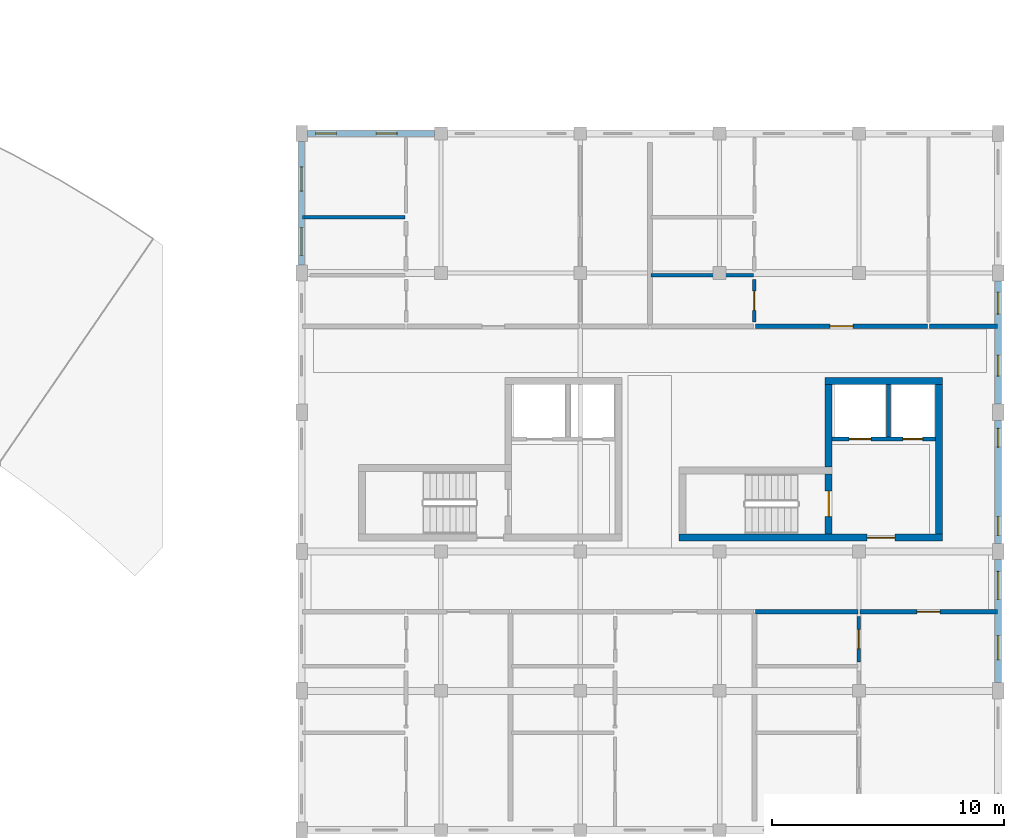
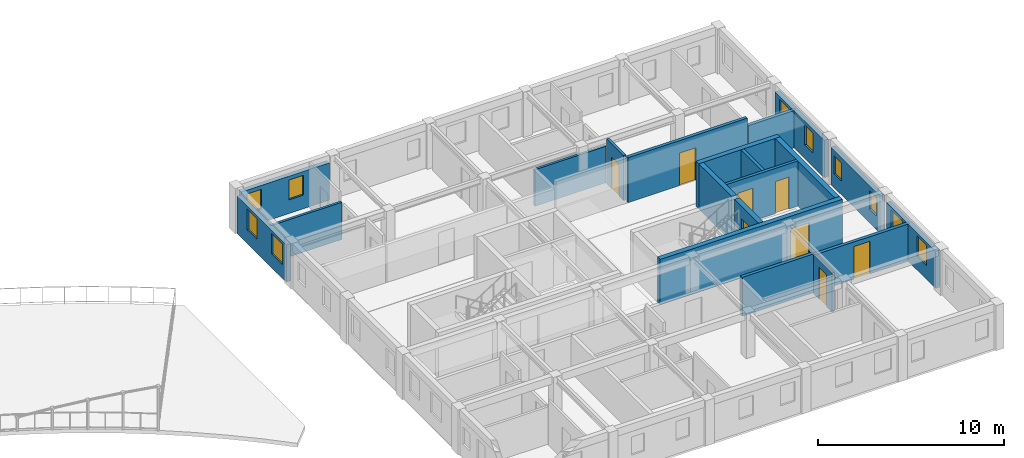
# One storey, part 42 of 58: 20 walls, 10 windows, 8 doors, 18 openings.
"""IFC4 building model written with IfcOpenShell, lengths in metres."""

from ifc_helpers import new_model, si_unit, direction, frame, frame_2d, origin, place, context, subcontext, project, spatial, rectangle, extrude, material, layer, layer_set, type_object, element, fill, save


model = new_model("IFC4")

# Units and contexts
model_context = context("Model", 3, precision=1e-05, world=origin(), true_north=direction((0.0, 1.0)))
body_context = subcontext(model_context, "Body", "Model", "MODEL_VIEW")
ifc_project = project(units=[si_unit("LENGTHUNIT", "METRE"), si_unit("AREAUNIT", "SQUARE_METRE"), si_unit("VOLUMEUNIT", "CUBIC_METRE"), si_unit("PLANEANGLEUNIT", "RADIAN"), si_unit("MASSUNIT", "GRAM", prefix="KILO"), si_unit("POWERUNIT", "WATT"), si_unit("THERMODYNAMICTEMPERATUREUNIT", "KELVIN")], contexts=[model_context])

# Site, building, storey
site_placement = place(None, origin())
site = spatial("IfcSite", under=ifc_project, at=site_placement, CompositionType="ELEMENT")
building_placement = place(site_placement, origin())
building = spatial("IfcBuilding", under=site, at=building_placement, Name="Ruvembo Vaulted Housing Court", CompositionType="ELEMENT")
storey_placement = place(building_placement, frame((0.0, 0.0, 20.5)))
storey = spatial("IfcBuildingStorey", under=building, at=storey_placement, Name="L06", CompositionType="ELEMENT", Elevation=20.5)

# Wall, opening, door
ifc_material_1 = material(Name="Concrete C35/45", Category="concrete")
ifc_layer_1 = layer(ifc_material_1, 0.300048828125, Name="Concrete C35/45")
ifc_layer_set_1 = layer_set([ifc_layer_1], Name="Concrete C35/45")
wall_type_1 = type_object("IfcWallType", Name="WL-CORE-300", PredefinedType="SHEAR", material=ifc_layer_set_1)
wall_1_placement = place(storey_placement, frame((172.25, 84.60009765625, 0.0), z_axis=(0.0, 0.0, 1.0), x_axis=(1.0, 0.0, 0.0)))
wall_1 = element("IfcWall", 1, at=wall_1_placement, inside=storey, type_object=wall_type_1, Name="Core D2 L06 South Shear Wall", PredefinedType="SHEAR", context=body_context, shape_type="SweptSolid", body=[
    extrude(rectangle(XDim=11.35009765625, YDim=0.300048828125, at=frame_2d((5.675048828125, 0.0))), origin(), (0.0, 0.0, 1.0), 2.969970703125),
])
opening_1_placement = place(wall_1_placement, frame((8.10009765625, 0.0, 0.0)))
opening_1 = element("IfcOpeningElement", 2, at=opening_1_placement, cuts=wall_1, Name="Opening LD3", PredefinedType="OPENING", context=body_context, shape_type="SweptSolid", body=[
    extrude(rectangle(XDim=1.199951171875, YDim=2.14990234375, at=frame_2d((0.60009765625, 1.074951171875))), frame((0.0, 0.159912109375, 0.0), z_axis=(0.0, -1.0, 0.0), x_axis=(1.0, 0.0, 0.0)), (0.0, 0.0, 1.0), 0.320068359375),
])
ifc_material_2 = material(Name="Galvanised Painted Steel", Category="steel")
door_type_1 = type_object("IfcDoorType", Name="DR-LOB-1200x2150", OperationType="NOTDEFINED", PredefinedType="DOOR", material=ifc_material_2)
door_1_placement = place(opening_1_placement, origin())
door_1 = element("IfcDoor", 3, at=door_1_placement, inside=storey, type_object=door_type_1, Name="Core D2 L06 Lobby Fire Door", OperationType="SINGLE_SWING_RIGHT", OverallHeight=2.14990234375, OverallWidth=1.199951171875, PredefinedType="DOOR", context=body_context, shape_type="SweptSolid", body=[
    extrude(rectangle(XDim=1.199951171875, YDim=2.14990234375, at=frame_2d((0.60009765625, 1.074951171875))), frame((0.0, 0.02490234375, 0.0), z_axis=(0.0, -1.0, 0.0), x_axis=(1.0, 0.0, 0.0)), (0.0, 0.0, 1.0), 0.050048828125),
])
fill(opening_1, door_1)

wall_2_placement = place(storey_placement, frame((178.699951171875, 84.75, 0.0), z_axis=(0.0, 0.0, 1.0), x_axis=(0.0, 1.0, 0.0)))
wall_2 = element("IfcWall", 4, at=wall_2_placement, inside=storey, type_object=wall_type_1, Name="Core D2 L06 Stair-Lobby Shear Wall", PredefinedType="SHEAR", context=body_context, shape_type="SweptSolid", body=[
    extrude(rectangle(XDim=2.60009765625, YDim=0.300048828125, at=frame_2d((1.300048828125, 0.0))), origin(), (0.0, 0.0, 1.0), 2.969970703125),
])
opening_2_placement = place(wall_2_placement, frame((0.75, 0.0, 0.0)))
opening_2 = element("IfcOpeningElement", 5, at=opening_2_placement, cuts=wall_2, Name="Opening SD2", PredefinedType="OPENING", context=body_context, shape_type="SweptSolid", body=[
    extrude(rectangle(XDim=1.10009765625, YDim=2.14990234375, at=frame_2d((0.550048828125, 1.074951171875))), frame((0.0, 0.159912109375, 0.0), z_axis=(0.0, -1.0, 0.0), x_axis=(1.0, 0.0, 0.0)), (0.0, 0.0, 1.0), 0.320068359375),
])
door_type_2 = type_object("IfcDoorType", Name="DR-STAIR-1100x2150", OperationType="NOTDEFINED", PredefinedType="DOOR", material=ifc_material_2)
door_2_placement = place(opening_2_placement, origin())
door_2 = element("IfcDoor", 6, at=door_2_placement, inside=storey, type_object=door_type_2, Name="Stair ST-D2 L06 Fire Door", OperationType="SINGLE_SWING_LEFT", OverallHeight=2.14990234375, OverallWidth=1.10009765625, PredefinedType="DOOR", context=body_context, shape_type="SweptSolid", body=[
    extrude(rectangle(XDim=1.10009765625, YDim=2.14990234375, at=frame_2d((0.550048828125, 1.074951171875))), frame((0.0, 0.02490234375, 0.0), z_axis=(0.0, -1.0, 0.0), x_axis=(1.0, 0.0, 0.0)), (0.0, 0.0, 1.0), 0.050048828125),
])
fill(opening_2, door_2)

# Walls
wall_3_placement = place(storey_placement, frame((183.60009765625, 91.35009765625, 0.0), z_axis=(0.0, 0.0, 1.0), x_axis=(-1.0, 0.0, 0.0)))
element("IfcWall", 7, at=wall_3_placement, inside=storey, type_object=wall_type_1, Name="Core D2 L06 North Shear Wall", PredefinedType="SHEAR", context=body_context, shape_type="SweptSolid", body=[
    extrude(rectangle(XDim=5.050048828125, YDim=0.300048828125, at=frame_2d((2.52490234375, 0.0))), origin(), (0.0, 0.0, 1.0), 2.969970703125),
])
wall_4_placement = place(storey_placement, frame((183.449951171875, 84.75, 0.0), z_axis=(0.0, 0.0, 1.0), x_axis=(0.0, 1.0, 0.0)))
element("IfcWall", 8, at=wall_4_placement, inside=storey, type_object=wall_type_1, Name="Core D2 L06 East Shear Wall", PredefinedType="SHEAR", context=body_context, shape_type="SweptSolid", body=[
    extrude(rectangle(XDim=6.449951171875, YDim=0.300048828125, at=frame_2d((3.22509765625, 0.0))), origin(), (0.0, 0.0, 1.0), 2.969970703125),
])
wall_5_placement = place(storey_placement, frame((178.699951171875, 87.64990234375, 0.0), z_axis=(0.0, 0.0, 1.0), x_axis=(0.0, 1.0, 0.0)))
element("IfcWall", 9, at=wall_5_placement, inside=storey, type_object=wall_type_1, Name="Core D2 L06 Upper West Shear Wall", PredefinedType="SHEAR", context=body_context, shape_type="SweptSolid", body=[
    extrude(rectangle(XDim=3.550048828125, YDim=0.300048828125, at=frame_2d((1.77490234375, 0.0))), origin(), (0.0, 0.0, 1.0), 2.969970703125),
])
ifc_material_3 = material(Name="Concrete Blockwork 200", Category="masonry")
ifc_layer_2 = layer(ifc_material_3, 0.199951171875, Name="Concrete Blockwork 200")
ifc_layer_set_2 = layer_set([ifc_layer_2], Name="Concrete Blockwork 200")
wall_type_2 = type_object("IfcWallType", Name="WL-CORR-200", PredefinedType="SOLIDWALL", material=ifc_layer_set_2)
wall_6_placement = place(storey_placement, frame((175.5400390625, 81.39990234375, 0.0), z_axis=(0.0, 0.0, 1.0), x_axis=(1.0, 0.0, 0.0)))
element("IfcWall", 10, at=wall_6_placement, inside=storey, type_object=wall_type_2, Name="L06 Flat D-L06-S3 Corridor Wall WL-INT-L06-01836", PredefinedType="SOLIDWALL", context=body_context, shape_type="SweptSolid", body=[
    extrude(rectangle(XDim=4.419921875, YDim=0.199951171875, at=frame_2d((2.2099609375, 0.0))), origin(), (0.0, 0.0, 1.0), 2.548095703125),
])

# Wall, opening, door
wall_7_placement = place(storey_placement, frame((180.0400390625, 81.39990234375, 0.0), z_axis=(0.0, 0.0, 1.0), x_axis=(1.0, 0.0, 0.0)))
wall_7 = element("IfcWall", 11, at=wall_7_placement, inside=storey, type_object=wall_type_2, Name="L06 Flat D-L06-S3 Entrance WL-INT-L06-01837", PredefinedType="SOLIDWALL", context=body_context, shape_type="SweptSolid", body=[
    extrude(rectangle(XDim=5.919921875, YDim=0.199951171875, at=frame_2d((2.9599609375, 0.0))), origin(), (0.0, 0.0, 1.0), 2.451904296875),
])
opening_3_placement = place(wall_7_placement, frame((2.4599609375, 0.0, 0.0)))
opening_3 = element("IfcOpeningElement", 12, at=opening_3_placement, cuts=wall_7, Name="Opening FD1", PredefinedType="OPENING", context=body_context, shape_type="SweptSolid", body=[
    extrude(rectangle(XDim=1.0, YDim=2.14990234375, at=frame_2d((0.5, 1.074951171875))), frame((0.0, 0.10986328125, 0.0), z_axis=(0.0, -1.0, 0.0), x_axis=(1.0, 0.0, 0.0)), (0.0, 0.0, 1.0), 0.219970703125),
])
ifc_material_4 = material(Name="FSC Hardwood and Engineered Timber", Category="wood")
door_type_3 = type_object("IfcDoorType", Name="DR-FLAT-1000x2150", OperationType="NOTDEFINED", PredefinedType="DOOR", material=ifc_material_4)
door_3_placement = place(opening_3_placement, origin())
door_3 = element("IfcDoor", 13, at=door_3_placement, inside=storey, type_object=door_type_3, Name="L06 Flat D-L06-S3 Entrance Door DR-INT-L06-01035", OperationType="SINGLE_SWING_LEFT", OverallHeight=2.14990234375, OverallWidth=1.0, PredefinedType="DOOR", context=body_context, shape_type="SweptSolid", body=[
    extrude(rectangle(XDim=1.0, YDim=2.14990234375, at=frame_2d((0.5, 1.074951171875))), frame((0.0, 0.02490234375, 0.0), z_axis=(0.0, -1.0, 0.0), x_axis=(1.0, 0.0, 0.0)), (0.0, 0.0, 1.0), 0.050048828125),
])
fill(opening_3, door_3)

wall_8_placement = place(storey_placement, frame((175.5400390625, 93.699951171875, 0.0), z_axis=(0.0, 0.0, 1.0), x_axis=(1.0, 0.0, 0.0)))
wall_8 = element("IfcWall", 14, at=wall_8_placement, inside=storey, type_object=wall_type_2, Name="L06 Flat D-L06-N2 Entrance WL-INT-L06-01854", PredefinedType="SOLIDWALL", context=body_context, shape_type="SweptSolid", body=[
    extrude(rectangle(XDim=7.419921875, YDim=0.199951171875, at=frame_2d((3.7099609375, 0.0))), origin(), (0.0, 0.0, 1.0), 2.969970703125),
])
opening_4_placement = place(wall_8_placement, frame((3.2099609375, 0.0, 0.0)))
opening_4 = element("IfcOpeningElement", 15, at=opening_4_placement, cuts=wall_8, Name="Opening FD1", PredefinedType="OPENING", context=body_context, shape_type="SweptSolid", body=[
    extrude(rectangle(XDim=1.0, YDim=2.14990234375, at=frame_2d((0.5, 1.074951171875))), frame((0.0, 0.10986328125, 0.0), z_axis=(0.0, -1.0, 0.0), x_axis=(1.0, 0.0, 0.0)), (0.0, 0.0, 1.0), 0.219970703125),
])
door_4_placement = place(opening_4_placement, origin())
door_4 = element("IfcDoor", 16, at=door_4_placement, inside=storey, type_object=door_type_3, Name="L06 Flat D-L06-N2 Entrance Door DR-INT-L06-01044", OperationType="SINGLE_SWING_RIGHT", OverallHeight=2.14990234375, OverallWidth=1.0, PredefinedType="DOOR", context=body_context, shape_type="SweptSolid", body=[
    extrude(rectangle(XDim=1.0, YDim=2.14990234375, at=frame_2d((0.5, 1.074951171875))), frame((0.0, 0.02490234375, 0.0), z_axis=(0.0, -1.0, 0.0), x_axis=(1.0, 0.0, 0.0)), (0.0, 0.0, 1.0), 0.050048828125),
])
fill(opening_4, door_4)

# Wall
wall_9_placement = place(storey_placement, frame((183.0400390625, 93.699951171875, 0.0), z_axis=(0.0, 0.0, 1.0), x_axis=(1.0, 0.0, 0.0)))
element("IfcWall", 17, at=wall_9_placement, inside=storey, type_object=wall_type_2, Name="L06 Flat D-L06-N2 Corridor Wall 2 WL-INT-L06-01860", PredefinedType="SOLIDWALL", context=body_context, shape_type="SweptSolid", body=[
    extrude(rectangle(XDim=2.919921875, YDim=0.199951171875, at=frame_2d((1.4599609375, 0.0))), origin(), (0.0, 0.0, 1.0), 2.451904296875),
])

# Wall, openings, windows
ifc_material_5 = material(Name="Rendered Masonry 270", Category="masonry")
ifc_layer_3 = layer(ifc_material_5, 0.27001953125, Name="Rendered Masonry 270")
ifc_layer_set_3 = layer_set([ifc_layer_3], Name="Rendered Masonry 270")
wall_type_3 = type_object("IfcWallType", Name="WL-EXT-270", PredefinedType="STANDARD", material=ifc_layer_set_3)
wall_10_placement = place(storey_placement, frame((186.0, 78.35009765625, 0.0), z_axis=(0.0, 0.0, 1.0), x_axis=(0.0, 1.0, 0.0)))
wall_10 = element("IfcWall", 18, at=wall_10_placement, inside=storey, type_object=wall_type_3, Name="Block D L06 Exterior Wall EAST #2", PredefinedType="STANDARD", context=body_context, shape_type="SweptSolid", body=[
    extrude(rectangle(XDim=5.2998046875, YDim=0.27001953125, at=frame_2d((2.64990234375, 0.0))), origin(), (0.0, 0.0, 1.0), 2.451904296875),
])
opening_5_placement = place(wall_10_placement, frame((0.97998046875, 0.0, 0.89990234375)))
opening_5 = element("IfcOpeningElement", 19, at=opening_5_placement, cuts=wall_10, Name="Opening W09", PredefinedType="OPENING", context=body_context, shape_type="SweptSolid", body=[
    extrude(rectangle(XDim=1.050048828125, YDim=1.35009765625, at=frame_2d((0.52490234375, 0.675048828125))), frame((0.0, 0.14501953125, 0.0), z_axis=(0.0, -1.0, 0.0), x_axis=(1.0, 0.0, 0.0)), (0.0, 0.0, 1.0), 0.2900390625),
])
opening_6_placement = place(wall_10_placement, frame((3.594970703125, 0.0, 0.89990234375)))
opening_6 = element("IfcOpeningElement", 20, at=opening_6_placement, cuts=wall_10, Name="Opening W12", PredefinedType="OPENING", context=body_context, shape_type="SweptSolid", body=[
    extrude(rectangle(XDim=1.199951171875, YDim=1.35009765625, at=frame_2d((0.60009765625, 0.675048828125))), frame((0.0, 0.14501953125, 0.0), z_axis=(0.0, -1.0, 0.0), x_axis=(1.0, 0.0, 0.0)), (0.0, 0.0, 1.0), 0.2900390625),
])
ifc_material_6 = material(Name="Double Solar-Control Glazing in Aluminium Frame", Category="aluminium")
window_type_1 = type_object("IfcWindowType", Name="WIN-1050x1350", PartitioningType="SINGLE_PANEL", PredefinedType="WINDOW", material=ifc_material_6)
window_1_placement = place(opening_5_placement, origin())
window_1 = element("IfcWindow", 21, at=window_1_placement, inside=storey, type_object=window_type_1, Name="Block D L06 Window #1714", OverallHeight=1.35009765625, OverallWidth=1.050048828125, PartitioningType="SINGLE_PANEL", PredefinedType="WINDOW", context=body_context, shape_type="SweptSolid", body=[
    extrude(rectangle(XDim=1.050048828125, YDim=1.35009765625, at=frame_2d((0.52490234375, 0.675048828125))), frame((0.0, 0.030029296875, 0.0), z_axis=(0.0, -1.0, 0.0), x_axis=(1.0, 0.0, 0.0)), (0.0, 0.0, 1.0), 0.06005859375),
])
fill(opening_5, window_1)
window_type_2 = type_object("IfcWindowType", Name="WIN-1200x1350", PartitioningType="SINGLE_PANEL", PredefinedType="WINDOW", material=ifc_material_6)
window_2_placement = place(opening_6_placement, origin())
window_2 = element("IfcWindow", 22, at=window_2_placement, inside=storey, type_object=window_type_2, Name="Block D L06 Window #1715", OverallHeight=1.35009765625, OverallWidth=1.199951171875, PartitioningType="SINGLE_PANEL", PredefinedType="WINDOW", context=body_context, shape_type="SweptSolid", body=[
    extrude(rectangle(XDim=1.199951171875, YDim=1.35009765625, at=frame_2d((0.60009765625, 0.675048828125))), frame((0.0, 0.030029296875, 0.0), z_axis=(0.0, -1.0, 0.0), x_axis=(1.0, 0.0, 0.0)), (0.0, 0.0, 1.0), 0.06005859375),
])
fill(opening_6, window_2)

wall_11_placement = place(storey_placement, frame((186.0, 84.35009765625, 0.0), z_axis=(0.0, 0.0, 1.0), x_axis=(0.0, 1.0, 0.0)))
wall_11 = element("IfcWall", 23, at=wall_11_placement, inside=storey, type_object=wall_type_3, Name="Block D L06 Exterior Wall EAST #3", PredefinedType="STANDARD", context=body_context, shape_type="SweptSolid", body=[
    extrude(rectangle(XDim=5.2998046875, YDim=0.27001953125, at=frame_2d((2.64990234375, 0.0))), origin(), (0.0, 0.0, 1.0), 2.451904296875),
])
opening_7_placement = place(wall_11_placement, frame((0.35009765625, 0.0, 0.89990234375)))
opening_7 = element("IfcOpeningElement", 24, at=opening_7_placement, cuts=wall_11, Name="Opening W02", PredefinedType="OPENING", context=body_context, shape_type="SweptSolid", body=[
    extrude(rectangle(XDim=0.800048828125, YDim=1.199951171875, at=frame_2d((0.39990234375, 0.60009765625))), frame((0.0, 0.14501953125, 0.0), z_axis=(0.0, -1.0, 0.0), x_axis=(1.0, 0.0, 0.0)), (0.0, 0.0, 1.0), 0.2900390625),
])
opening_8_placement = place(wall_11_placement, frame((4.14990234375, 0.0, 0.89990234375)))
opening_8 = element("IfcOpeningElement", 25, at=opening_8_placement, cuts=wall_11, Name="Opening W02", PredefinedType="OPENING", context=body_context, shape_type="SweptSolid", body=[
    extrude(rectangle(XDim=0.800048828125, YDim=1.199951171875, at=frame_2d((0.39990234375, 0.60009765625))), frame((0.0, 0.14501953125, 0.0), z_axis=(0.0, -1.0, 0.0), x_axis=(1.0, 0.0, 0.0)), (0.0, 0.0, 1.0), 0.2900390625),
])
window_type_3 = type_object("IfcWindowType", Name="WIN-0800x1200", PartitioningType="SINGLE_PANEL", PredefinedType="WINDOW", material=ifc_material_6)
window_3_placement = place(opening_7_placement, origin())
window_3 = element("IfcWindow", 26, at=window_3_placement, inside=storey, type_object=window_type_3, Name="Block D L06 Window #1716", OverallHeight=1.199951171875, OverallWidth=0.800048828125, PartitioningType="SINGLE_PANEL", PredefinedType="WINDOW", context=body_context, shape_type="SweptSolid", body=[
    extrude(rectangle(XDim=0.800048828125, YDim=1.199951171875, at=frame_2d((0.39990234375, 0.60009765625))), frame((0.0, 0.030029296875, 0.0), z_axis=(0.0, -1.0, 0.0), x_axis=(1.0, 0.0, 0.0)), (0.0, 0.0, 1.0), 0.06005859375),
])
fill(opening_7, window_3)
window_4_placement = place(opening_8_placement, origin())
window_4 = element("IfcWindow", 27, at=window_4_placement, inside=storey, type_object=window_type_3, Name="Block D L06 Window #1717", OverallHeight=1.199951171875, OverallWidth=0.800048828125, PartitioningType="SINGLE_PANEL", PredefinedType="WINDOW", context=body_context, shape_type="SweptSolid", body=[
    extrude(rectangle(XDim=0.800048828125, YDim=1.199951171875, at=frame_2d((0.39990234375, 0.60009765625))), frame((0.0, 0.030029296875, 0.0), z_axis=(0.0, -1.0, 0.0), x_axis=(1.0, 0.0, 0.0)), (0.0, 0.0, 1.0), 0.06005859375),
])
fill(opening_8, window_4)

wall_12_placement = place(storey_placement, frame((186.0, 90.35009765625, 0.0), z_axis=(0.0, 0.0, 1.0), x_axis=(0.0, 1.0, 0.0)))
wall_12 = element("IfcWall", 28, at=wall_12_placement, inside=storey, type_object=wall_type_3, Name="Block D L06 Exterior Wall EAST #4", PredefinedType="STANDARD", context=body_context, shape_type="SweptSolid", body=[
    extrude(rectangle(XDim=5.2998046875, YDim=0.27001953125, at=frame_2d((2.64990234375, 0.0))), origin(), (0.0, 0.0, 1.0), 2.451904296875),
])
opening_9_placement = place(wall_12_placement, frame((1.205078125, 0.0, 0.89990234375)))
opening_9 = element("IfcOpeningElement", 29, at=opening_9_placement, cuts=wall_12, Name="Opening W04", PredefinedType="OPENING", context=body_context, shape_type="SweptSolid", body=[
    extrude(rectangle(XDim=0.89990234375, YDim=1.300048828125, at=frame_2d((0.449951171875, 0.64990234375))), frame((0.0, 0.14501953125, 0.0), z_axis=(0.0, -1.0, 0.0), x_axis=(1.0, 0.0, 0.0)), (0.0, 0.0, 1.0), 0.2900390625),
])
opening_10_placement = place(wall_12_placement, frame((3.8701171875, 0.0, 0.89990234375)))
opening_10 = element("IfcOpeningElement", 30, at=opening_10_placement, cuts=wall_12, Name="Opening W07", PredefinedType="OPENING", context=body_context, shape_type="SweptSolid", body=[
    extrude(rectangle(XDim=0.949951171875, YDim=1.35009765625, at=frame_2d((0.47509765625, 0.675048828125))), frame((0.0, 0.14501953125, 0.0), z_axis=(0.0, -1.0, 0.0), x_axis=(1.0, 0.0, 0.0)), (0.0, 0.0, 1.0), 0.2900390625),
])
window_type_4 = type_object("IfcWindowType", Name="WIN-0900x1300", PartitioningType="SINGLE_PANEL", PredefinedType="WINDOW", material=ifc_material_6)
window_5_placement = place(opening_9_placement, origin())
window_5 = element("IfcWindow", 31, at=window_5_placement, inside=storey, type_object=window_type_4, Name="Block D L06 Window #1718", OverallHeight=1.300048828125, OverallWidth=0.89990234375, PartitioningType="SINGLE_PANEL", PredefinedType="WINDOW", context=body_context, shape_type="SweptSolid", body=[
    extrude(rectangle(XDim=0.89990234375, YDim=1.300048828125, at=frame_2d((0.449951171875, 0.64990234375))), frame((0.0, 0.030029296875, 0.0), z_axis=(0.0, -1.0, 0.0), x_axis=(1.0, 0.0, 0.0)), (0.0, 0.0, 1.0), 0.06005859375),
])
fill(opening_9, window_5)
window_type_5 = type_object("IfcWindowType", Name="WIN-0950x1350", PartitioningType="SINGLE_PANEL", PredefinedType="WINDOW", material=ifc_material_6)
window_6_placement = place(opening_10_placement, origin())
window_6 = element("IfcWindow", 32, at=window_6_placement, inside=storey, type_object=window_type_5, Name="Block D L06 Window #1719", OverallHeight=1.35009765625, OverallWidth=0.949951171875, PartitioningType="SINGLE_PANEL", PredefinedType="WINDOW", context=body_context, shape_type="SweptSolid", body=[
    extrude(rectangle(XDim=0.949951171875, YDim=1.35009765625, at=frame_2d((0.47509765625, 0.675048828125))), frame((0.0, 0.030029296875, 0.0), z_axis=(0.0, -1.0, 0.0), x_axis=(1.0, 0.0, 0.0)), (0.0, 0.0, 1.0), 0.06005859375),
])
fill(opening_10, window_6)

wall_13_placement = place(storey_placement, frame((161.72509765625, 102.0, 0.0), z_axis=(0.0, 0.0, 1.0), x_axis=(-1.0, 0.0, 0.0)))
wall_13 = element("IfcWall", 33, at=wall_13_placement, inside=storey, type_object=wall_type_3, Name="Block D L06 Exterior Wall STREET #5", PredefinedType="STANDARD", context=body_context, shape_type="SweptSolid", body=[
    extrude(rectangle(XDim=5.47509765625, YDim=0.27001953125, at=frame_2d((2.737548828125, 0.0))), origin(), (0.0, 0.0, 1.0), 2.451904296875),
])
opening_11_placement = place(wall_13_placement, frame((1.614990234375, 0.0, 0.89990234375)))
opening_11 = element("IfcOpeningElement", 34, at=opening_11_placement, cuts=wall_13, Name="Opening W04", PredefinedType="OPENING", context=body_context, shape_type="SweptSolid", body=[
    extrude(rectangle(XDim=0.89990234375, YDim=1.300048828125, at=frame_2d((0.449951171875, 0.64990234375))), frame((0.0, 0.14501953125, 0.0), z_axis=(0.0, -1.0, 0.0), x_axis=(1.0, 0.0, 0.0)), (0.0, 0.0, 1.0), 0.2900390625),
])
opening_12_placement = place(wall_13_placement, frame((4.22509765625, 0.0, 0.89990234375)))
opening_12 = element("IfcOpeningElement", 35, at=opening_12_placement, cuts=wall_13, Name="Opening W04", PredefinedType="OPENING", context=body_context, shape_type="SweptSolid", body=[
    extrude(rectangle(XDim=0.89990234375, YDim=1.300048828125, at=frame_2d((0.449951171875, 0.64990234375))), frame((0.0, 0.14501953125, 0.0), z_axis=(0.0, -1.0, 0.0), x_axis=(1.0, 0.0, 0.0)), (0.0, 0.0, 1.0), 0.2900390625),
])
window_7_placement = place(opening_11_placement, origin())
window_7 = element("IfcWindow", 36, at=window_7_placement, inside=storey, type_object=window_type_4, Name="Block D L06 Window #1730", OverallHeight=1.300048828125, OverallWidth=0.89990234375, PartitioningType="SINGLE_PANEL", PredefinedType="WINDOW", context=body_context, shape_type="SweptSolid", body=[
    extrude(rectangle(XDim=0.89990234375, YDim=1.300048828125, at=frame_2d((0.449951171875, 0.64990234375))), frame((0.0, 0.030029296875, 0.0), z_axis=(0.0, -1.0, 0.0), x_axis=(1.0, 0.0, 0.0)), (0.0, 0.0, 1.0), 0.06005859375),
])
fill(opening_11, window_7)
window_8_placement = place(opening_12_placement, origin())
window_8 = element("IfcWindow", 37, at=window_8_placement, inside=storey, type_object=window_type_4, Name="Block D L06 Window #1731", OverallHeight=1.300048828125, OverallWidth=0.89990234375, PartitioningType="SINGLE_PANEL", PredefinedType="WINDOW", context=body_context, shape_type="SweptSolid", body=[
    extrude(rectangle(XDim=0.89990234375, YDim=1.300048828125, at=frame_2d((0.449951171875, 0.64990234375))), frame((0.0, 0.030029296875, 0.0), z_axis=(0.0, -1.0, 0.0), x_axis=(1.0, 0.0, 0.0)), (0.0, 0.0, 1.0), 0.06005859375),
])
fill(opening_12, window_8)

wall_14_placement = place(storey_placement, frame((156.0, 101.64990234375, 0.0), z_axis=(0.0, 0.0, 1.0), x_axis=(0.0, -1.0, 0.0)))
wall_14 = element("IfcWall", 38, at=wall_14_placement, inside=storey, type_object=wall_type_3, Name="Block D L06 Exterior Wall WEST #1", PredefinedType="STANDARD", context=body_context, shape_type="SweptSolid", body=[
    extrude(rectangle(XDim=5.2998046875, YDim=0.27001953125, at=frame_2d((2.64990234375, 0.0))), origin(), (0.0, 0.0, 1.0), 2.451904296875),
])
opening_13_placement = place(wall_14_placement, frame((1.080078125, 0.0, 0.89990234375)))
opening_13 = element("IfcOpeningElement", 39, at=opening_13_placement, cuts=wall_14, Name="Opening W09", PredefinedType="OPENING", context=body_context, shape_type="SweptSolid", body=[
    extrude(rectangle(XDim=1.050048828125, YDim=1.35009765625, at=frame_2d((0.52490234375, 0.675048828125))), frame((0.0, 0.14501953125, 0.0), z_axis=(0.0, -1.0, 0.0), x_axis=(1.0, 0.0, 0.0)), (0.0, 0.0, 1.0), 0.2900390625),
])
opening_14_placement = place(wall_14_placement, frame((3.695068359375, 0.0, 0.89990234375)))
opening_14 = element("IfcOpeningElement", 40, at=opening_14_placement, cuts=wall_14, Name="Opening W12", PredefinedType="OPENING", context=body_context, shape_type="SweptSolid", body=[
    extrude(rectangle(XDim=1.199951171875, YDim=1.35009765625, at=frame_2d((0.60009765625, 0.675048828125))), frame((0.0, 0.14501953125, 0.0), z_axis=(0.0, -1.0, 0.0), x_axis=(1.0, 0.0, 0.0)), (0.0, 0.0, 1.0), 0.2900390625),
])
window_9_placement = place(opening_13_placement, origin())
window_9 = element("IfcWindow", 41, at=window_9_placement, inside=storey, type_object=window_type_1, Name="Block D L06 Window #1732", OverallHeight=1.35009765625, OverallWidth=1.050048828125, PartitioningType="SINGLE_PANEL", PredefinedType="WINDOW", context=body_context, shape_type="SweptSolid", body=[
    extrude(rectangle(XDim=1.050048828125, YDim=1.35009765625, at=frame_2d((0.52490234375, 0.675048828125))), frame((0.0, 0.030029296875, 0.0), z_axis=(0.0, -1.0, 0.0), x_axis=(1.0, 0.0, 0.0)), (0.0, 0.0, 1.0), 0.06005859375),
])
fill(opening_13, window_9)
window_10_placement = place(opening_14_placement, origin())
window_10 = element("IfcWindow", 42, at=window_10_placement, inside=storey, type_object=window_type_2, Name="Block D L06 Window #1733", OverallHeight=1.35009765625, OverallWidth=1.199951171875, PartitioningType="SINGLE_PANEL", PredefinedType="WINDOW", context=body_context, shape_type="SweptSolid", body=[
    extrude(rectangle(XDim=1.199951171875, YDim=1.35009765625, at=frame_2d((0.60009765625, 0.675048828125))), frame((0.0, 0.030029296875, 0.0), z_axis=(0.0, -1.0, 0.0), x_axis=(1.0, 0.0, 0.0)), (0.0, 0.0, 1.0), 0.06005859375),
])
fill(opening_14, window_10)

# Wall, opening, door
ifc_material_7 = material(Name="Moisture-Resistant Wet Partition 150", Category="gypsum")
ifc_layer_4 = layer(ifc_material_7, 0.14990234375, Name="Moisture-Resistant Wet Partition 150")
ifc_layer_set_4 = layer_set([ifc_layer_4], Name="Moisture-Resistant Wet Partition 150")
wall_type_4 = type_object("IfcWallType", Name="WL-PART-150", PredefinedType="PARTITIONING", material=ifc_layer_set_4)
wall_15_placement = place(storey_placement, frame((180.0, 79.239990234375, 0.0), z_axis=(0.0, 0.0, 1.0), x_axis=(0.0, 1.0, 0.0)))
wall_15 = element("IfcWall", 43, at=wall_15_placement, inside=storey, type_object=wall_type_4, Name="L06 Flat D-L06-S3 Bathroom WL-INT-L06-01840", PredefinedType="PARTITIONING", context=body_context, shape_type="SweptSolid", body=[
    extrude(rectangle(XDim=1.969970703125, YDim=0.14990234375, at=frame_2d((0.98486328125, 0.0))), origin(), (0.0, 0.0, 1.0), 2.548095703125),
])
opening_15_placement = place(wall_15_placement, frame((0.574951171875, 0.0, 0.0)))
opening_15 = element("IfcOpeningElement", 44, at=opening_15_placement, cuts=wall_15, Name="Opening ID4", PredefinedType="OPENING", context=body_context, shape_type="SweptSolid", body=[
    extrude(rectangle(XDim=0.820068359375, YDim=2.080078125, at=frame_2d((0.41015625, 1.0400390625))), frame((0.0, 0.0849609375, 0.0), z_axis=(0.0, -1.0, 0.0), x_axis=(1.0, 0.0, 0.0)), (0.0, 0.0, 1.0), 0.169921875),
])
door_type_4 = type_object("IfcDoorType", Name="DR-WET-0820x2080", OperationType="NOTDEFINED", PredefinedType="DOOR", material=ifc_material_4)
door_5_placement = place(opening_15_placement, origin())
door_5 = element("IfcDoor", 45, at=door_5_placement, inside=storey, type_object=door_type_4, Name="L06 Flat D-L06-S3 Bathroom Door DR-INT-L06-01038", OperationType="SINGLE_SWING_RIGHT", OverallHeight=2.080078125, OverallWidth=0.820068359375, PredefinedType="DOOR", context=body_context, shape_type="SweptSolid", body=[
    extrude(rectangle(XDim=0.820068359375, YDim=2.080078125, at=frame_2d((0.41015625, 1.0400390625))), frame((0.0, 0.02490234375, 0.0), z_axis=(0.0, -1.0, 0.0), x_axis=(1.0, 0.0, 0.0)), (0.0, 0.0, 1.0), 0.050048828125),
])
fill(opening_15, door_5)

# Wall
wall_16_placement = place(storey_placement, frame((156.0400390625, 98.39990234375, 0.0), z_axis=(0.0, 0.0, 1.0), x_axis=(1.0, 0.0, 0.0)))
element("IfcWall", 46, at=wall_16_placement, inside=storey, type_object=wall_type_4, Name="L06 Flat D-L06-N1 Wet Wall 1 WL-INT-L06-01849", PredefinedType="PARTITIONING", context=body_context, shape_type="SweptSolid", body=[
    extrude(rectangle(XDim=4.419921875, YDim=0.14990234375, at=frame_2d((2.2099609375, 0.0))), origin(), (0.0, 0.0, 1.0), 2.451904296875),
])

# Wall, opening, door
wall_17_placement = place(storey_placement, frame((175.5, 93.889892578125, 0.0), z_axis=(0.0, 0.0, 1.0), x_axis=(0.0, 1.0, 0.0)))
wall_17 = element("IfcWall", 47, at=wall_17_placement, inside=storey, type_object=wall_type_4, Name="L06 Flat D-L06-N2 Bathroom WL-INT-L06-01857", PredefinedType="PARTITIONING", context=body_context, shape_type="SweptSolid", body=[
    extrude(rectangle(XDim=1.820068359375, YDim=0.14990234375, at=frame_2d((0.91015625, 0.0))), origin(), (0.0, 0.0, 1.0), 2.969970703125),
])
opening_16_placement = place(wall_17_placement, frame((0.5, 0.0, 0.0)))
opening_16 = element("IfcOpeningElement", 48, at=opening_16_placement, cuts=wall_17, Name="Opening ID4", PredefinedType="OPENING", context=body_context, shape_type="SweptSolid", body=[
    extrude(rectangle(XDim=0.820068359375, YDim=2.080078125, at=frame_2d((0.41015625, 1.0400390625))), frame((0.0, 0.0849609375, 0.0), z_axis=(0.0, -1.0, 0.0), x_axis=(1.0, 0.0, 0.0)), (0.0, 0.0, 1.0), 0.169921875),
])
door_6_placement = place(opening_16_placement, origin())
door_6 = element("IfcDoor", 49, at=door_6_placement, inside=storey, type_object=door_type_4, Name="L06 Flat D-L06-N2 Bathroom Door DR-INT-L06-01047", OperationType="SINGLE_SWING_LEFT", OverallHeight=2.080078125, OverallWidth=0.820068359375, PredefinedType="DOOR", context=body_context, shape_type="SweptSolid", body=[
    extrude(rectangle(XDim=0.820068359375, YDim=2.080078125, at=frame_2d((0.41015625, 1.0400390625))), frame((0.0, 0.02490234375, 0.0), z_axis=(0.0, -1.0, 0.0), x_axis=(1.0, 0.0, 0.0)), (0.0, 0.0, 1.0), 0.050048828125),
])
fill(opening_16, door_6)

# Wall
wall_18_placement = place(storey_placement, frame((171.0400390625, 95.89990234375, 0.0), z_axis=(0.0, 0.0, 1.0), x_axis=(1.0, 0.0, 0.0)))
element("IfcWall", 50, at=wall_18_placement, inside=storey, type_object=wall_type_4, Name="L06 Flat D-L06-N2 Wet Wall 2 WL-INT-L06-01859", PredefinedType="PARTITIONING", context=body_context, shape_type="SweptSolid", body=[
    extrude(rectangle(XDim=4.419921875, YDim=0.14990234375, at=frame_2d((2.2099609375, 0.0))), origin(), (0.0, 0.0, 1.0), 2.407958984375),
])

# Wall, openings, doors
ifc_material_8 = material(Name="Fire-Rated Masonry Shaft 180", Category="masonry")
ifc_layer_5 = layer(ifc_material_8, 0.179931640625, Name="Fire-Rated Masonry Shaft 180")
ifc_layer_set_5 = layer_set([ifc_layer_5], Name="Fire-Rated Masonry Shaft 180")
wall_type_5 = type_object("IfcWallType", Name="WL-SHAFT-180", PredefinedType="SOLIDWALL", material=ifc_layer_set_5)
wall_19_placement = place(storey_placement, frame((178.85009765625, 88.85009765625, 0.0), z_axis=(0.0, 0.0, 1.0), x_axis=(1.0, 0.0, 0.0)))
wall_19 = element("IfcWall", 51, at=wall_19_placement, inside=storey, type_object=wall_type_5, Name="Core D2 L06 Lift and Riser Front Wall", PredefinedType="SOLIDWALL", context=body_context, shape_type="SweptSolid", body=[
    extrude(rectangle(XDim=4.449951171875, YDim=0.179931640625, at=frame_2d((2.22509765625, 0.0))), origin(), (0.0, 0.0, 1.0), 2.969970703125),
])
opening_17_placement = place(wall_19_placement, frame((0.72509765625, 0.0, 0.0)))
opening_17 = element("IfcOpeningElement", 52, at=opening_17_placement, cuts=wall_19, Name="Opening LD-LP-D2-L06", PredefinedType="OPENING", context=body_context, shape_type="SweptSolid", body=[
    extrude(rectangle(XDim=0.949951171875, YDim=2.14990234375, at=frame_2d((0.47509765625, 1.074951171875))), frame((0.0, 0.099853515625, 0.0), z_axis=(0.0, -1.0, 0.0), x_axis=(1.0, 0.0, 0.0)), (0.0, 0.0, 1.0), 0.199951171875),
])
opening_18_placement = place(wall_19_placement, frame((3.050048828125, 0.0, 0.0)))
opening_18 = element("IfcOpeningElement", 53, at=opening_18_placement, cuts=wall_19, Name="Opening RD1", PredefinedType="OPENING", context=body_context, shape_type="SweptSolid", body=[
    extrude(rectangle(XDim=0.85009765625, YDim=2.10009765625, at=frame_2d((0.425048828125, 1.050048828125))), frame((0.0, 0.099853515625, 0.0), z_axis=(0.0, -1.0, 0.0), x_axis=(1.0, 0.0, 0.0)), (0.0, 0.0, 1.0), 0.199951171875),
])
ifc_material_9 = material(Name="Brushed Stainless Steel 304", Category="steel")
door_type_5 = type_object("IfcDoorType", Name="DR-LIFT-0950x2150", OperationType="NOTDEFINED", PredefinedType="DOOR", material=ifc_material_9)
door_7_placement = place(opening_17_placement, origin())
door_7 = element("IfcDoor", 54, at=door_7_placement, inside=storey, type_object=door_type_5, Name="Lift LP-D2 L06 Sliding Landing Door", OperationType="SLIDING_TO_LEFT", OverallHeight=2.14990234375, OverallWidth=0.949951171875, PredefinedType="DOOR", context=body_context, shape_type="SweptSolid", body=[
    extrude(rectangle(XDim=0.949951171875, YDim=2.14990234375, at=frame_2d((0.47509765625, 1.074951171875))), frame((0.0, 0.02490234375, 0.0), z_axis=(0.0, -1.0, 0.0), x_axis=(1.0, 0.0, 0.0)), (0.0, 0.0, 1.0), 0.050048828125),
])
fill(opening_17, door_7)
door_type_6 = type_object("IfcDoorType", Name="DR-RISER-0850x2100", OperationType="NOTDEFINED", PredefinedType="DOOR", material=ifc_material_2)
door_8_placement = place(opening_18_placement, frame((0.85009765625, 0.0, 0.0), z_axis=(0.0, 0.0, 1.0), x_axis=(-1.0, 0.0, 0.0)))
door_8 = element("IfcDoor", 55, at=door_8_placement, inside=storey, type_object=door_type_6, Name="Core D2 L06 Service Riser Door", OperationType="SINGLE_SWING_RIGHT", OverallHeight=2.10009765625, OverallWidth=0.85009765625, PredefinedType="DOOR", context=body_context, shape_type="SweptSolid", body=[
    extrude(rectangle(XDim=0.85009765625, YDim=2.10009765625, at=frame_2d((0.425048828125, 1.050048828125))), frame((0.0, 0.02490234375, 0.0), z_axis=(0.0, -1.0, 0.0), x_axis=(1.0, 0.0, 0.0)), (0.0, 0.0, 1.0), 0.050048828125),
])
fill(opening_18, door_8)

# Wall
wall_20_placement = place(storey_placement, frame((181.27001953125, 88.93994140625, 0.0), z_axis=(0.0, 0.0, 1.0), x_axis=(0.0, 1.0, 0.0)))
element("IfcWall", 56, at=wall_20_placement, inside=storey, type_object=wall_type_5, Name="Core D2 L06 Shaft-Riser Divider Wall", PredefinedType="SOLIDWALL", context=body_context, shape_type="SweptSolid", body=[
    extrude(rectangle(XDim=2.260009765625, YDim=0.179931640625, at=frame_2d((1.1298828125, 0.0))), origin(), (0.0, 0.0, 1.0), 2.969970703125),
])

save(model, "model.ifc")
